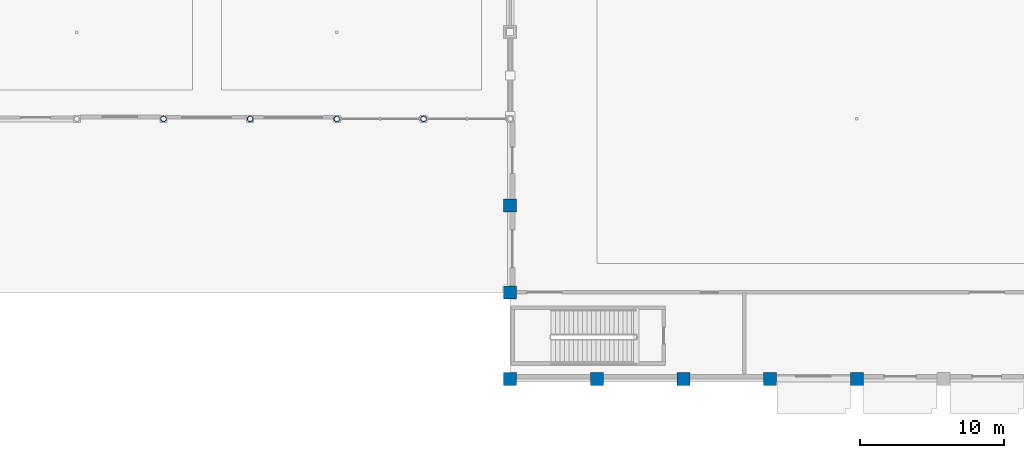
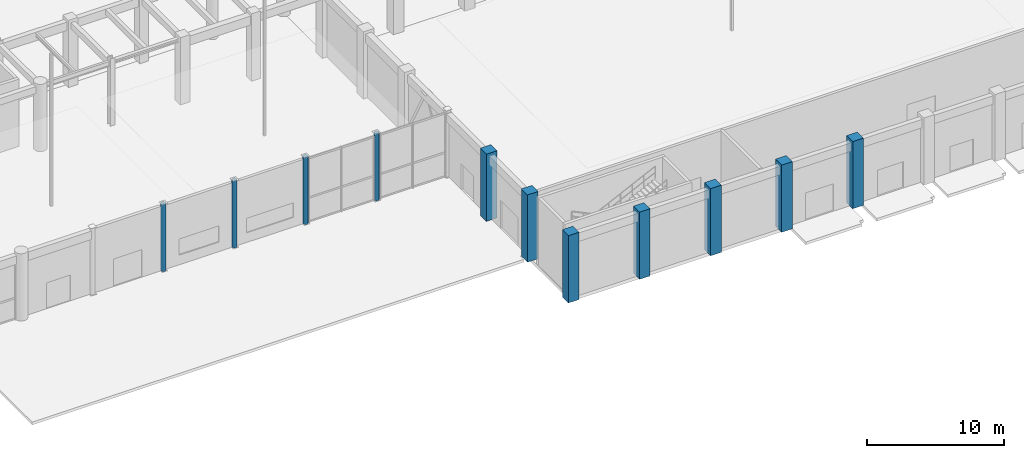
# One storey, part 4 of 106: 11 columns.
"""IFC4 building model written with IfcOpenShell, lengths in metres."""

from ifc_helpers import new_model, si_unit, direction, frame, origin, origin_2d, place, context, subcontext, project, spatial, rectangle, hollow_circle, extrude, material, material_profile, profile_set, type_object, element, save


model = new_model("IFC4")

# Units and contexts
model_context = context("Model", 3, precision=1e-05, world=origin(), true_north=direction((0.0, 1.0)))
body_context = subcontext(model_context, "Body", "Model", "MODEL_VIEW")
ifc_project = project(units=[si_unit("LENGTHUNIT", "METRE"), si_unit("AREAUNIT", "SQUARE_METRE"), si_unit("VOLUMEUNIT", "CUBIC_METRE"), si_unit("PLANEANGLEUNIT", "RADIAN"), si_unit("MASSUNIT", "GRAM", prefix="KILO"), si_unit("THERMODYNAMICTEMPERATUREUNIT", "KELVIN"), si_unit("POWERUNIT", "WATT")], contexts=[model_context])

# Site, building, storey
site_placement = place(None, origin())
site = spatial("IfcSite", under=ifc_project, at=site_placement, CompositionType="ELEMENT")
building_placement = place(site_placement, origin())
building = spatial("IfcBuilding", under=site, at=building_placement, Name="Phaisarnlok Congress Hotel", CompositionType="ELEMENT")
storey_placement = place(building_placement, origin())
storey = spatial("IfcBuildingStorey", under=building, at=storey_placement, Name="L00", CompositionType="ELEMENT", Elevation=0.0)

# Columns
ifc_material_1 = material(Name="Concrete C50/60", Category="concrete")
ifc_material_profile_1 = material_profile(ifc_material_1, rectangle(XDim=0.89990234375, YDim=0.89990234375, at=origin_2d()), Name="RC 900x900")
ifc_profile_set_1 = profile_set([ifc_material_profile_1], Name="Concrete C50/60")
column_type_1 = type_object("IfcColumnType", Name="COL-RC-900", PredefinedType="COLUMN", material=ifc_profile_set_1)
for number, where, z_axis, x_axis, name in (
    (1, (96.0, 6.0, 0.0), (0.0, 0.0, 1.0), (1.0, 0.0, 0.0), "Column C-08 (L00)"),
    (2, (96.0, 12.0, 0.0), (0.0, 0.0, 1.0), (1.0, 0.0, 0.0), "Column C-08 (L00)"),
):
    element("IfcColumn", number, at=place(storey_placement, frame(where, z_axis=z_axis, x_axis=x_axis)), inside=storey, type_object=column_type_1, Name=name, PredefinedType="COLUMN", context=body_context, shape_type="SweptSolid", body=[
        extrude(rectangle(XDim=0.89990234375, YDim=0.89990234375, at=origin_2d()), origin(), (0.0, 0.0, 1.0), 6.0),
    ])
ifc_material_profile_2 = material_profile(ifc_material_1, rectangle(XDim=0.89990234375, YDim=0.89990234375, at=origin_2d()), Name="RC 900x900")
ifc_profile_set_2 = profile_set([ifc_material_profile_2], Name="Concrete C50/60")
column_type_2 = type_object("IfcColumnType", Name="COL-RC-900-EXT", PredefinedType="COLUMN", material=ifc_profile_set_2)
for number, where, z_axis, x_axis, name in (
    (3, (96.0, 0.0, 0.0), (0.0, 0.0, 1.0), (1.0, 0.0, 0.0), "Column C-08E (L00)"),
    (4, (102.0, 0.0, 0.0), (0.0, 0.0, 1.0), (1.0, 0.0, 0.0), "Column C-08E (L00)"),
    (5, (108.0, 0.0, 0.0), (0.0, 0.0, 1.0), (1.0, 0.0, 0.0), "Column C-08E (L00)"),
    (6, (114.0, 0.0, 0.0), (0.0, 0.0, 1.0), (1.0, 0.0, 0.0), "Column C-08E (L00)"),
    (7, (120.0, 0.0, 0.0), (0.0, 0.0, 1.0), (1.0, 0.0, 0.0), "Column C-08E (L00)"),
):
    element("IfcColumn", number, at=place(storey_placement, frame(where, z_axis=z_axis, x_axis=x_axis)), inside=storey, type_object=column_type_2, Name=name, PredefinedType="COLUMN", context=body_context, shape_type="SweptSolid", body=[
        extrude(rectangle(XDim=0.89990234375, YDim=0.89990234375, at=origin_2d()), origin(), (0.0, 0.0, 1.0), 6.0),
    ])
ifc_material_2 = material(Name="Steel S355", Category="steel")
ifc_material_profile_3 = material_profile(ifc_material_2, hollow_circle(Radius=0.203125, WallThickness=0.02001953125, at=origin_2d()), Name="CHS 406.4x20")
ifc_profile_set_3 = profile_set([ifc_material_profile_3], Name="Steel S355")
column_type_3 = type_object("IfcColumnType", Name="COL-STL-CHS406-EXT", PredefinedType="COLUMN", material=ifc_profile_set_3)
for number, where, z_axis, x_axis, name in (
    (8, (72.0, 18.0, 0.0), (0.0, 0.0, 1.0), (1.0, 0.0, 0.0), "Column SC-02E (L00)"),
    (9, (78.0, 18.0, 0.0), (0.0, 0.0, 1.0), (1.0, 0.0, 0.0), "Column SC-02E (L00)"),
    (10, (84.0, 18.0, 0.0), (0.0, 0.0, 1.0), (1.0, 0.0, 0.0), "Column SC-02E (L00)"),
    (11, (90.0, 18.0, 0.0), (0.0, 0.0, 1.0), (1.0, 0.0, 0.0), "Column SC-02E (L00)"),
):
    element("IfcColumn", number, at=place(storey_placement, frame(where, z_axis=z_axis, x_axis=x_axis)), inside=storey, type_object=column_type_3, Name=name, PredefinedType="COLUMN", context=body_context, shape_type="SweptSolid", body=[
        extrude(hollow_circle(Radius=0.203125, WallThickness=0.02001953125, at=origin_2d()), origin(), (0.0, 0.0, 1.0), 6.0),
    ])

save(model, "model.ifc")
